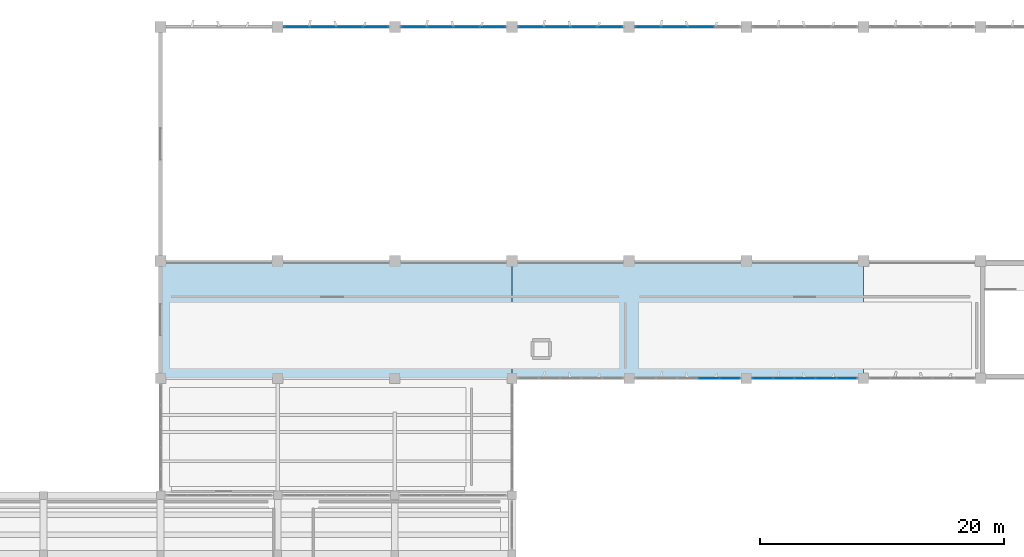
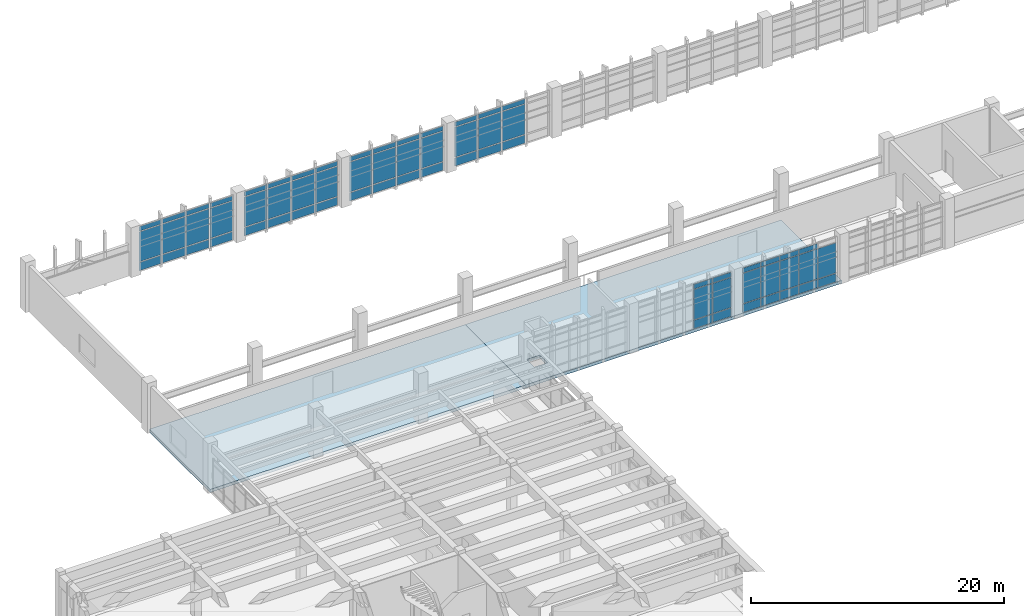
# One storey, part 51 of 86: 65 plates, 2 slabs, 6 elements without a shape of their own.
"""IFC4 building model written with IfcOpenShell, lengths in metres."""

from ifc_helpers import new_model, si_unit, direction, frame, origin, origin_2d, place, context, subcontext, project, spatial, polyline, rectangle, outline, extrude, material, layer, layer_set, type_object, element, aggregate, save


model = new_model("IFC4")

# Units and contexts
model_context = context("Model", 3, precision=1e-05, world=origin(), true_north=direction((0.0, 1.0)))
body_context = subcontext(model_context, "Body", "Model", "MODEL_VIEW")
ifc_project = project(units=[si_unit("LENGTHUNIT", "METRE"), si_unit("AREAUNIT", "SQUARE_METRE"), si_unit("VOLUMEUNIT", "CUBIC_METRE"), si_unit("PLANEANGLEUNIT", "RADIAN"), si_unit("MASSUNIT", "GRAM", prefix="KILO")], contexts=[model_context])

# Site, building, storey
site_placement = place(None, origin())
site = spatial("IfcSite", under=ifc_project, at=site_placement, CompositionType="ELEMENT")
building_placement = place(site_placement, origin())
building = spatial("IfcBuilding", under=site, at=building_placement, Name="Kolvemor Railside Polytechnic", CompositionType="ELEMENT")
storey_placement = place(building_placement, frame((0.0, 0.0, 5.39990234375)))
storey = spatial("IfcBuildingStorey", under=building, at=storey_placement, Name="L01", CompositionType="ELEMENT", Elevation=5.39990234375)

# Curtain wall, plates
ifc_material_1 = material(Name="Anodised marine aluminium and laminated low-E glass", Category="aluminium")
ifc_layer_1 = layer(ifc_material_1, 0.179931640625, Name="CW-UNIT-WKS")
ifc_layer_set_1 = layer_set([ifc_layer_1], Name="Anodised marine aluminium and laminated low-E glass")
curtain_wall_type = type_object("IfcCurtainWallType", Name="CW-UNIT-WKS", PredefinedType="USERDEFINED", material=ifc_layer_set_1)
curtain_wall_1_placement = place(storey_placement, origin())
curtain_wall_1 = element("IfcCurtainWall", 1, at=curtain_wall_1_placement, inside=storey, type_object=curtain_wall_type, Name="Curtain Wall L01-003", ObjectType="UNITISED CURTAIN WALL", PredefinedType="USERDEFINED")
ifc_material_2 = material(Name="Hurricane-laminated solar-control low-E glass", Category="glass")
ifc_layer_2 = layer(ifc_material_2, 0.028076171875, Name="CWP-GLZ-04")
ifc_layer_set_2 = layer_set([ifc_layer_2], Name="Hurricane-laminated solar-control low-E glass")
plate_type_1 = type_object("IfcPlateType", Name="CWP-GLZ-04", PredefinedType="CURTAIN_PANEL", material=ifc_layer_set_2)
plate_1_placement = place(storey_placement, frame((46.4287109375, 120.0, 0.074951171875), z_axis=(0.0, 0.0, 1.0), x_axis=(-1.0, 0.0, 0.0)))
plate_1 = element("IfcPlate", 2, at=plate_1_placement, type_object=plate_type_1, Name="CW-WKS panel 1.1", PredefinedType="CURTAIN_PANEL", context=body_context, shape_type="SweptSolid", body=[
    extrude(rectangle(XDim=2.052490234375, YDim=0.028076171875, at=origin_2d()), origin(), (0.0, 0.0, 1.0), 0.78759765625),
])
plate_2_placement = place(storey_placement, frame((46.4287109375, 120.0, 0.9375), z_axis=(0.0, 0.0, 1.0), x_axis=(-1.0, 0.0, 0.0)))
plate_2 = element("IfcPlate", 3, at=plate_2_placement, type_object=plate_type_1, Name="CW-WKS panel 1.2", PredefinedType="CURTAIN_PANEL", context=body_context, shape_type="SweptSolid", body=[
    extrude(rectangle(XDim=2.052490234375, YDim=0.028076171875, at=origin_2d()), origin(), (0.0, 0.0, 1.0), 2.875),
])
plate_3_placement = place(storey_placement, frame((46.4287109375, 120.0, 3.8876953125), z_axis=(0.0, 0.0, 1.0), x_axis=(-1.0, 0.0, 0.0)))
plate_3 = element("IfcPlate", 4, at=plate_3_placement, type_object=plate_type_1, Name="CW-WKS panel 1.3", PredefinedType="CURTAIN_PANEL", context=body_context, shape_type="SweptSolid", body=[
    extrude(rectangle(XDim=2.052490234375, YDim=0.028076171875, at=origin_2d()), origin(), (0.0, 0.0, 1.0), 0.4375),
])
plate_4_placement = place(storey_placement, frame((44.282470703125, 120.0, 0.074951171875), z_axis=(0.0, 0.0, 1.0), x_axis=(-1.0, 0.0, 0.0)))
plate_4 = element("IfcPlate", 5, at=plate_4_placement, type_object=plate_type_1, Name="CW-WKS panel 2.1", PredefinedType="CURTAIN_PANEL", context=body_context, shape_type="SweptSolid", body=[
    extrude(rectangle(XDim=2.090087890625, YDim=0.028076171875, at=origin_2d()), origin(), (0.0, 0.0, 1.0), 0.78759765625),
])
plate_5_placement = place(storey_placement, frame((44.282470703125, 120.0, 0.9375), z_axis=(0.0, 0.0, 1.0), x_axis=(-1.0, 0.0, 0.0)))
plate_5 = element("IfcPlate", 6, at=plate_5_placement, type_object=plate_type_1, Name="CW-WKS panel 2.2", PredefinedType="CURTAIN_PANEL", context=body_context, shape_type="SweptSolid", body=[
    extrude(rectangle(XDim=2.090087890625, YDim=0.028076171875, at=origin_2d()), origin(), (0.0, 0.0, 1.0), 2.875),
])
plate_6_placement = place(storey_placement, frame((44.282470703125, 120.0, 3.8876953125), z_axis=(0.0, 0.0, 1.0), x_axis=(-1.0, 0.0, 0.0)))
plate_6 = element("IfcPlate", 7, at=plate_6_placement, type_object=plate_type_1, Name="CW-WKS panel 2.3", PredefinedType="CURTAIN_PANEL", context=body_context, shape_type="SweptSolid", body=[
    extrude(rectangle(XDim=2.090087890625, YDim=0.028076171875, at=origin_2d()), origin(), (0.0, 0.0, 1.0), 0.4375),
])
plate_7_placement = place(storey_placement, frame((42.117431640625, 120.0, 0.074951171875), z_axis=(0.0, 0.0, 1.0), x_axis=(-1.0, 0.0, 0.0)))
plate_7 = element("IfcPlate", 8, at=plate_7_placement, type_object=plate_type_1, Name="CW-WKS panel 3.1", PredefinedType="CURTAIN_PANEL", context=body_context, shape_type="SweptSolid", body=[
    extrude(rectangle(XDim=2.090087890625, YDim=0.028076171875, at=origin_2d()), origin(), (0.0, 0.0, 1.0), 0.78759765625),
])
plate_8_placement = place(storey_placement, frame((42.117431640625, 120.0, 0.9375), z_axis=(0.0, 0.0, 1.0), x_axis=(-1.0, 0.0, 0.0)))
plate_8 = element("IfcPlate", 9, at=plate_8_placement, type_object=plate_type_1, Name="CW-WKS panel 3.2", PredefinedType="CURTAIN_PANEL", context=body_context, shape_type="SweptSolid", body=[
    extrude(rectangle(XDim=2.090087890625, YDim=0.028076171875, at=origin_2d()), origin(), (0.0, 0.0, 1.0), 2.875),
])
plate_9_placement = place(storey_placement, frame((42.117431640625, 120.0, 3.8876953125), z_axis=(0.0, 0.0, 1.0), x_axis=(-1.0, 0.0, 0.0)))
plate_9 = element("IfcPlate", 10, at=plate_9_placement, type_object=plate_type_1, Name="CW-WKS panel 3.3", PredefinedType="CURTAIN_PANEL", context=body_context, shape_type="SweptSolid", body=[
    extrude(rectangle(XDim=2.090087890625, YDim=0.028076171875, at=origin_2d()), origin(), (0.0, 0.0, 1.0), 0.4375),
])
plate_10_placement = place(storey_placement, frame((39.97119140625, 120.0, 0.074951171875), z_axis=(0.0, 0.0, 1.0), x_axis=(-1.0, 0.0, 0.0)))
plate_10 = element("IfcPlate", 11, at=plate_10_placement, type_object=plate_type_1, Name="CW-WKS panel 4.1", PredefinedType="CURTAIN_PANEL", context=body_context, shape_type="SweptSolid", body=[
    extrude(rectangle(XDim=2.052490234375, YDim=0.028076171875, at=origin_2d()), origin(), (0.0, 0.0, 1.0), 0.78759765625),
])
plate_11_placement = place(storey_placement, frame((39.97119140625, 120.0, 0.9375), z_axis=(0.0, 0.0, 1.0), x_axis=(-1.0, 0.0, 0.0)))
plate_11 = element("IfcPlate", 12, at=plate_11_placement, type_object=plate_type_1, Name="CW-WKS panel 4.2", PredefinedType="CURTAIN_PANEL", context=body_context, shape_type="SweptSolid", body=[
    extrude(rectangle(XDim=2.052490234375, YDim=0.028076171875, at=origin_2d()), origin(), (0.0, 0.0, 1.0), 2.875),
])
plate_12_placement = place(storey_placement, frame((39.97119140625, 120.0, 3.8876953125), z_axis=(0.0, 0.0, 1.0), x_axis=(-1.0, 0.0, 0.0)))
plate_12 = element("IfcPlate", 13, at=plate_12_placement, type_object=plate_type_1, Name="CW-WKS panel 4.3", PredefinedType="CURTAIN_PANEL", context=body_context, shape_type="SweptSolid", body=[
    extrude(rectangle(XDim=2.052490234375, YDim=0.028076171875, at=origin_2d()), origin(), (0.0, 0.0, 1.0), 0.4375),
])
aggregate(curtain_wall_1, [plate_1, plate_2, plate_3, plate_4, plate_5, plate_6, plate_7, plate_8, plate_9, plate_10, plate_11, plate_12])

curtain_wall_2_placement = place(storey_placement, origin())
curtain_wall_2 = element("IfcCurtainWall", 14, at=curtain_wall_2_placement, inside=storey, type_object=curtain_wall_type, Name="Curtain Wall L01-002", ObjectType="UNITISED CURTAIN WALL", PredefinedType="USERDEFINED")
ifc_material_3 = material(Name="Hurricane-laminated solar-control low-E glass", Category="glass")
ifc_layer_3 = layer(ifc_material_3, 0.031982421875, Name="CWP-GLZ-06")
ifc_layer_set_3 = layer_set([ifc_layer_3], Name="Hurricane-laminated solar-control low-E glass")
plate_type_2 = type_object("IfcPlateType", Name="CWP-GLZ-06", PredefinedType="CURTAIN_PANEL", material=ifc_layer_set_3)
plate_13_placement = place(storey_placement, frame((36.828857421875, 120.0, 0.074951171875), z_axis=(0.0, 0.0, 1.0), x_axis=(-1.0, 0.0, 0.0)))
plate_13 = element("IfcPlate", 15, at=plate_13_placement, type_object=plate_type_2, Name="CW-WKS panel 1.1", PredefinedType="CURTAIN_PANEL", context=body_context, shape_type="SweptSolid", body=[
    extrude(rectangle(XDim=2.052490234375, YDim=0.031982421875, at=origin_2d()), origin(), (0.0, 0.0, 1.0), 0.78759765625),
])
plate_14_placement = place(storey_placement, frame((36.828857421875, 120.0, 0.9375), z_axis=(0.0, 0.0, 1.0), x_axis=(-1.0, 0.0, 0.0)))
plate_14 = element("IfcPlate", 16, at=plate_14_placement, type_object=plate_type_2, Name="CW-WKS panel 1.2", PredefinedType="CURTAIN_PANEL", context=body_context, shape_type="SweptSolid", body=[
    extrude(rectangle(XDim=2.052490234375, YDim=0.031982421875, at=origin_2d()), origin(), (0.0, 0.0, 1.0), 2.875),
])
plate_15_placement = place(storey_placement, frame((36.828857421875, 120.0, 3.8876953125), z_axis=(0.0, 0.0, 1.0), x_axis=(-1.0, 0.0, 0.0)))
plate_15 = element("IfcPlate", 17, at=plate_15_placement, type_object=plate_type_2, Name="CW-WKS panel 1.3", PredefinedType="CURTAIN_PANEL", context=body_context, shape_type="SweptSolid", body=[
    extrude(rectangle(XDim=2.052490234375, YDim=0.031982421875, at=origin_2d()), origin(), (0.0, 0.0, 1.0), 0.4375),
])
plate_16_placement = place(storey_placement, frame((34.6826171875, 120.0, 0.074951171875), z_axis=(0.0, 0.0, 1.0), x_axis=(-1.0, 0.0, 0.0)))
plate_16 = element("IfcPlate", 18, at=plate_16_placement, type_object=plate_type_2, Name="CW-WKS panel 2.1", PredefinedType="CURTAIN_PANEL", context=body_context, shape_type="SweptSolid", body=[
    extrude(rectangle(XDim=2.090087890625, YDim=0.031982421875, at=origin_2d()), origin(), (0.0, 0.0, 1.0), 0.78759765625),
])
plate_17_placement = place(storey_placement, frame((34.6826171875, 120.0, 0.9375), z_axis=(0.0, 0.0, 1.0), x_axis=(-1.0, 0.0, 0.0)))
plate_17 = element("IfcPlate", 19, at=plate_17_placement, type_object=plate_type_2, Name="CW-WKS panel 2.2", PredefinedType="CURTAIN_PANEL", context=body_context, shape_type="SweptSolid", body=[
    extrude(rectangle(XDim=2.090087890625, YDim=0.031982421875, at=origin_2d()), origin(), (0.0, 0.0, 1.0), 2.875),
])
plate_18_placement = place(storey_placement, frame((34.6826171875, 120.0, 3.8876953125), z_axis=(0.0, 0.0, 1.0), x_axis=(-1.0, 0.0, 0.0)))
plate_18 = element("IfcPlate", 20, at=plate_18_placement, type_object=plate_type_2, Name="CW-WKS panel 2.3", PredefinedType="CURTAIN_PANEL", context=body_context, shape_type="SweptSolid", body=[
    extrude(rectangle(XDim=2.090087890625, YDim=0.031982421875, at=origin_2d()), origin(), (0.0, 0.0, 1.0), 0.4375),
])
plate_19_placement = place(storey_placement, frame((32.517578125, 120.0, 0.074951171875), z_axis=(0.0, 0.0, 1.0), x_axis=(-1.0, 0.0, 0.0)))
plate_19 = element("IfcPlate", 21, at=plate_19_placement, type_object=plate_type_2, Name="CW-WKS panel 3.1", PredefinedType="CURTAIN_PANEL", context=body_context, shape_type="SweptSolid", body=[
    extrude(rectangle(XDim=2.090087890625, YDim=0.031982421875, at=origin_2d()), origin(), (0.0, 0.0, 1.0), 0.78759765625),
])
plate_20_placement = place(storey_placement, frame((32.517578125, 120.0, 0.9375), z_axis=(0.0, 0.0, 1.0), x_axis=(-1.0, 0.0, 0.0)))
plate_20 = element("IfcPlate", 22, at=plate_20_placement, type_object=plate_type_2, Name="CW-WKS panel 3.2", PredefinedType="CURTAIN_PANEL", context=body_context, shape_type="SweptSolid", body=[
    extrude(rectangle(XDim=2.090087890625, YDim=0.031982421875, at=origin_2d()), origin(), (0.0, 0.0, 1.0), 2.875),
])
plate_21_placement = place(storey_placement, frame((32.517578125, 120.0, 3.8876953125), z_axis=(0.0, 0.0, 1.0), x_axis=(-1.0, 0.0, 0.0)))
plate_21 = element("IfcPlate", 23, at=plate_21_placement, type_object=plate_type_2, Name="CW-WKS panel 3.3", PredefinedType="CURTAIN_PANEL", context=body_context, shape_type="SweptSolid", body=[
    extrude(rectangle(XDim=2.090087890625, YDim=0.031982421875, at=origin_2d()), origin(), (0.0, 0.0, 1.0), 0.4375),
])
plate_22_placement = place(storey_placement, frame((30.371337890625, 120.0, 0.074951171875), z_axis=(0.0, 0.0, 1.0), x_axis=(-1.0, 0.0, 0.0)))
plate_22 = element("IfcPlate", 24, at=plate_22_placement, type_object=plate_type_2, Name="CW-WKS panel 4.1", PredefinedType="CURTAIN_PANEL", context=body_context, shape_type="SweptSolid", body=[
    extrude(rectangle(XDim=2.052490234375, YDim=0.031982421875, at=origin_2d()), origin(), (0.0, 0.0, 1.0), 0.78759765625),
])
plate_23_placement = place(storey_placement, frame((30.371337890625, 120.0, 0.9375), z_axis=(0.0, 0.0, 1.0), x_axis=(-1.0, 0.0, 0.0)))
plate_23 = element("IfcPlate", 25, at=plate_23_placement, type_object=plate_type_2, Name="CW-WKS panel 4.2", PredefinedType="CURTAIN_PANEL", context=body_context, shape_type="SweptSolid", body=[
    extrude(rectangle(XDim=2.052490234375, YDim=0.031982421875, at=origin_2d()), origin(), (0.0, 0.0, 1.0), 2.875),
])
plate_24_placement = place(storey_placement, frame((30.371337890625, 120.0, 3.8876953125), z_axis=(0.0, 0.0, 1.0), x_axis=(-1.0, 0.0, 0.0)))
plate_24 = element("IfcPlate", 26, at=plate_24_placement, type_object=plate_type_2, Name="CW-WKS panel 4.3", PredefinedType="CURTAIN_PANEL", context=body_context, shape_type="SweptSolid", body=[
    extrude(rectangle(XDim=2.052490234375, YDim=0.031982421875, at=origin_2d()), origin(), (0.0, 0.0, 1.0), 0.4375),
])
aggregate(curtain_wall_2, [plate_13, plate_14, plate_15, plate_16, plate_17, plate_18, plate_19, plate_20, plate_21, plate_22, plate_23, plate_24])

curtain_wall_3_placement = place(storey_placement, origin())
curtain_wall_3 = element("IfcCurtainWall", 27, at=curtain_wall_3_placement, inside=storey, type_object=curtain_wall_type, Name="Curtain Wall L01-009", ObjectType="UNITISED CURTAIN WALL", PredefinedType="USERDEFINED")
plate_25_placement = place(storey_placement, frame((64.132080078125, 91.199951171875, 0.06494140625), z_axis=(0.0, 0.0, 1.0), x_axis=(1.0, 0.0, 0.0)))
plate_25 = element("IfcPlate", 28, at=plate_25_placement, type_object=plate_type_2, Name="CW-WKS panel 4.1", PredefinedType="CURTAIN_PANEL", context=body_context, shape_type="SweptSolid", body=[
    extrude(rectangle(XDim=1.6669921875, YDim=0.031982421875, at=origin_2d()), origin(), (0.0, 0.0, 1.0), 0.802490234375),
])
plate_26_placement = place(storey_placement, frame((64.132080078125, 91.199951171875, 0.9326171875), z_axis=(0.0, 0.0, 1.0), x_axis=(1.0, 0.0, 0.0)))
plate_26 = element("IfcPlate", 29, at=plate_26_placement, type_object=plate_type_2, Name="CW-WKS panel 4.2", PredefinedType="CURTAIN_PANEL", context=body_context, shape_type="SweptSolid", body=[
    extrude(rectangle(XDim=1.6669921875, YDim=0.031982421875, at=origin_2d()), origin(), (0.0, 0.0, 1.0), 2.885009765625),
])
plate_27_placement = place(storey_placement, frame((64.132080078125, 91.199951171875, 3.8828125), z_axis=(0.0, 0.0, 1.0), x_axis=(1.0, 0.0, 0.0)))
plate_27 = element("IfcPlate", 30, at=plate_27_placement, type_object=plate_type_2, Name="CW-WKS panel 4.3", PredefinedType="CURTAIN_PANEL", context=body_context, shape_type="SweptSolid", body=[
    extrude(rectangle(XDim=1.6669921875, YDim=0.031982421875, at=origin_2d()), origin(), (0.0, 0.0, 1.0), 0.452392578125),
])
plate_28_placement = place(storey_placement, frame((65.84765625, 91.199951171875, 0.06494140625), z_axis=(0.0, 0.0, 1.0), x_axis=(1.0, 0.0, 0.0)))
plate_28 = element("IfcPlate", 31, at=plate_28_placement, type_object=plate_type_2, Name="CW-WKS panel 5.1", PredefinedType="CURTAIN_PANEL", context=body_context, shape_type="SweptSolid", body=[
    extrude(rectangle(XDim=1.634521484375, YDim=0.031982421875, at=origin_2d()), origin(), (0.0, 0.0, 1.0), 0.802490234375),
])
plate_29_placement = place(storey_placement, frame((65.84765625, 91.199951171875, 0.9326171875), z_axis=(0.0, 0.0, 1.0), x_axis=(1.0, 0.0, 0.0)))
plate_29 = element("IfcPlate", 32, at=plate_29_placement, type_object=plate_type_2, Name="CW-WKS panel 5.2", PredefinedType="CURTAIN_PANEL", context=body_context, shape_type="SweptSolid", body=[
    extrude(rectangle(XDim=1.634521484375, YDim=0.031982421875, at=origin_2d()), origin(), (0.0, 0.0, 1.0), 2.885009765625),
])
plate_30_placement = place(storey_placement, frame((65.84765625, 91.199951171875, 3.8828125), z_axis=(0.0, 0.0, 1.0), x_axis=(1.0, 0.0, 0.0)))
plate_30 = element("IfcPlate", 33, at=plate_30_placement, type_object=plate_type_2, Name="CW-WKS panel 5.3", PredefinedType="CURTAIN_PANEL", context=body_context, shape_type="SweptSolid", body=[
    extrude(rectangle(XDim=1.634521484375, YDim=0.031982421875, at=origin_2d()), origin(), (0.0, 0.0, 1.0), 0.452392578125),
])
aggregate(curtain_wall_3, [plate_25, plate_26, plate_27, plate_28, plate_29, plate_30])

curtain_wall_4_placement = place(storey_placement, origin())
curtain_wall_4 = element("IfcCurtainWall", 34, at=curtain_wall_4_placement, inside=storey, type_object=curtain_wall_type, Name="Curtain Wall L01-011", ObjectType="UNITISED CURTAIN WALL", PredefinedType="USERDEFINED")
ifc_material_4 = material(Name="Hurricane-laminated solar-control low-E glass", Category="glass")
ifc_layer_4 = layer(ifc_material_4, 0.033935546875, Name="CWP-GLZ-07")
ifc_layer_set_4 = layer_set([ifc_layer_4], Name="Hurricane-laminated solar-control low-E glass")
plate_type_3 = type_object("IfcPlateType", Name="CWP-GLZ-07", PredefinedType="CURTAIN_PANEL", material=ifc_layer_set_4)
plate_31_placement = place(storey_placement, frame((68.55224609375, 91.199951171875, 0.06494140625), z_axis=(0.0, 0.0, 1.0), x_axis=(1.0, 0.0, 0.0)))
plate_31 = element("IfcPlate", 35, at=plate_31_placement, type_object=plate_type_3, Name="CW-WKS panel 1.1", PredefinedType="CURTAIN_PANEL", context=body_context, shape_type="SweptSolid", body=[
    extrude(rectangle(XDim=1.634521484375, YDim=0.033935546875, at=origin_2d()), origin(), (0.0, 0.0, 1.0), 0.802490234375),
])
plate_32_placement = place(storey_placement, frame((68.55224609375, 91.199951171875, 0.9326171875), z_axis=(0.0, 0.0, 1.0), x_axis=(1.0, 0.0, 0.0)))
plate_32 = element("IfcPlate", 36, at=plate_32_placement, type_object=plate_type_3, Name="CW-WKS panel 1.2", PredefinedType="CURTAIN_PANEL", context=body_context, shape_type="SweptSolid", body=[
    extrude(rectangle(XDim=1.634521484375, YDim=0.033935546875, at=origin_2d()), origin(), (0.0, 0.0, 1.0), 2.885009765625),
])
plate_33_placement = place(storey_placement, frame((68.55224609375, 91.199951171875, 3.8828125), z_axis=(0.0, 0.0, 1.0), x_axis=(1.0, 0.0, 0.0)))
plate_33 = element("IfcPlate", 37, at=plate_33_placement, type_object=plate_type_3, Name="CW-WKS panel 1.3", PredefinedType="CURTAIN_PANEL", context=body_context, shape_type="SweptSolid", body=[
    extrude(rectangle(XDim=1.634521484375, YDim=0.033935546875, at=origin_2d()), origin(), (0.0, 0.0, 1.0), 0.452392578125),
])
plate_34_placement = place(storey_placement, frame((70.26806640625, 91.199951171875, 0.06494140625), z_axis=(0.0, 0.0, 1.0), x_axis=(1.0, 0.0, 0.0)))
plate_34 = element("IfcPlate", 38, at=plate_34_placement, type_object=plate_type_3, Name="CW-WKS panel 2.1", PredefinedType="CURTAIN_PANEL", context=body_context, shape_type="SweptSolid", body=[
    extrude(rectangle(XDim=1.6669921875, YDim=0.033935546875, at=origin_2d()), origin(), (0.0, 0.0, 1.0), 0.802490234375),
])
plate_35_placement = place(storey_placement, frame((70.26806640625, 91.199951171875, 0.9326171875), z_axis=(0.0, 0.0, 1.0), x_axis=(1.0, 0.0, 0.0)))
plate_35 = element("IfcPlate", 39, at=plate_35_placement, type_object=plate_type_3, Name="CW-WKS panel 2.2", PredefinedType="CURTAIN_PANEL", context=body_context, shape_type="SweptSolid", body=[
    extrude(rectangle(XDim=1.6669921875, YDim=0.033935546875, at=origin_2d()), origin(), (0.0, 0.0, 1.0), 2.885009765625),
])
plate_36_placement = place(storey_placement, frame((70.26806640625, 91.199951171875, 3.8828125), z_axis=(0.0, 0.0, 1.0), x_axis=(1.0, 0.0, 0.0)))
plate_36 = element("IfcPlate", 40, at=plate_36_placement, type_object=plate_type_3, Name="CW-WKS panel 2.3", PredefinedType="CURTAIN_PANEL", context=body_context, shape_type="SweptSolid", body=[
    extrude(rectangle(XDim=1.6669921875, YDim=0.033935546875, at=origin_2d()), origin(), (0.0, 0.0, 1.0), 0.452392578125),
])
plate_37_placement = place(storey_placement, frame((72.0, 91.199951171875, 0.06494140625), z_axis=(0.0, 0.0, 1.0), x_axis=(1.0, 0.0, 0.0)))
plate_37 = element("IfcPlate", 41, at=plate_37_placement, type_object=plate_type_3, Name="CW-WKS panel 3.1", PredefinedType="CURTAIN_PANEL", context=body_context, shape_type="SweptSolid", body=[
    extrude(rectangle(XDim=1.6669921875, YDim=0.033935546875, at=origin_2d()), origin(), (0.0, 0.0, 1.0), 0.802490234375),
])
plate_38_placement = place(storey_placement, frame((72.0, 91.199951171875, 0.9326171875), z_axis=(0.0, 0.0, 1.0), x_axis=(1.0, 0.0, 0.0)))
plate_38 = element("IfcPlate", 42, at=plate_38_placement, type_object=plate_type_3, Name="CW-WKS panel 3.2", PredefinedType="CURTAIN_PANEL", context=body_context, shape_type="SweptSolid", body=[
    extrude(rectangle(XDim=1.6669921875, YDim=0.033935546875, at=origin_2d()), origin(), (0.0, 0.0, 1.0), 2.885009765625),
])
plate_39_placement = place(storey_placement, frame((72.0, 91.199951171875, 3.8828125), z_axis=(0.0, 0.0, 1.0), x_axis=(1.0, 0.0, 0.0)))
plate_39 = element("IfcPlate", 43, at=plate_39_placement, type_object=plate_type_3, Name="CW-WKS panel 3.3", PredefinedType="CURTAIN_PANEL", context=body_context, shape_type="SweptSolid", body=[
    extrude(rectangle(XDim=1.6669921875, YDim=0.033935546875, at=origin_2d()), origin(), (0.0, 0.0, 1.0), 0.452392578125),
])
plate_40_placement = place(storey_placement, frame((73.73193359375, 91.199951171875, 0.06494140625), z_axis=(0.0, 0.0, 1.0), x_axis=(1.0, 0.0, 0.0)))
plate_40 = element("IfcPlate", 44, at=plate_40_placement, type_object=plate_type_3, Name="CW-WKS panel 4.1", PredefinedType="CURTAIN_PANEL", context=body_context, shape_type="SweptSolid", body=[
    extrude(rectangle(XDim=1.6669921875, YDim=0.033935546875, at=origin_2d()), origin(), (0.0, 0.0, 1.0), 0.802490234375),
])
plate_41_placement = place(storey_placement, frame((73.73193359375, 91.199951171875, 0.9326171875), z_axis=(0.0, 0.0, 1.0), x_axis=(1.0, 0.0, 0.0)))
plate_41 = element("IfcPlate", 45, at=plate_41_placement, type_object=plate_type_3, Name="CW-WKS panel 4.2", PredefinedType="CURTAIN_PANEL", context=body_context, shape_type="SweptSolid", body=[
    extrude(rectangle(XDim=1.6669921875, YDim=0.033935546875, at=origin_2d()), origin(), (0.0, 0.0, 1.0), 2.885009765625),
])
plate_42_placement = place(storey_placement, frame((73.73193359375, 91.199951171875, 3.8828125), z_axis=(0.0, 0.0, 1.0), x_axis=(1.0, 0.0, 0.0)))
plate_42 = element("IfcPlate", 46, at=plate_42_placement, type_object=plate_type_3, Name="CW-WKS panel 4.3", PredefinedType="CURTAIN_PANEL", context=body_context, shape_type="SweptSolid", body=[
    extrude(rectangle(XDim=1.6669921875, YDim=0.033935546875, at=origin_2d()), origin(), (0.0, 0.0, 1.0), 0.452392578125),
])
plate_43_placement = place(storey_placement, frame((75.44775390625, 91.199951171875, 0.06494140625), z_axis=(0.0, 0.0, 1.0), x_axis=(1.0, 0.0, 0.0)))
plate_43 = element("IfcPlate", 47, at=plate_43_placement, type_object=plate_type_3, Name="CW-WKS panel 5.1", PredefinedType="CURTAIN_PANEL", context=body_context, shape_type="SweptSolid", body=[
    extrude(rectangle(XDim=1.634521484375, YDim=0.033935546875, at=origin_2d()), origin(), (0.0, 0.0, 1.0), 0.802490234375),
])
plate_44_placement = place(storey_placement, frame((75.44775390625, 91.199951171875, 0.9326171875), z_axis=(0.0, 0.0, 1.0), x_axis=(1.0, 0.0, 0.0)))
plate_44 = element("IfcPlate", 48, at=plate_44_placement, type_object=plate_type_3, Name="CW-WKS panel 5.2", PredefinedType="CURTAIN_PANEL", context=body_context, shape_type="SweptSolid", body=[
    extrude(rectangle(XDim=1.634521484375, YDim=0.033935546875, at=origin_2d()), origin(), (0.0, 0.0, 1.0), 2.885009765625),
])
aggregate(curtain_wall_4, [plate_31, plate_32, plate_33, plate_34, plate_35, plate_36, plate_37, plate_38, plate_39, plate_40, plate_41, plate_42, plate_43, plate_44])

curtain_wall_5_placement = place(storey_placement, origin())
curtain_wall_5 = element("IfcCurtainWall", 49, at=curtain_wall_5_placement, inside=storey, type_object=curtain_wall_type, Name="Curtain Wall L01-005", ObjectType="UNITISED CURTAIN WALL", PredefinedType="USERDEFINED")
ifc_material_5 = material(Name="Hurricane-laminated solar-control low-E glass", Category="glass")
ifc_layer_5 = layer(ifc_material_5, 0.035888671875, Name="CWP-GLZ-08")
ifc_layer_set_5 = layer_set([ifc_layer_5], Name="Hurricane-laminated solar-control low-E glass")
plate_type_4 = type_object("IfcPlateType", Name="CWP-GLZ-08", PredefinedType="CURTAIN_PANEL", material=ifc_layer_set_5)
plate_45_placement = place(storey_placement, frame((56.02880859375, 120.0, 0.074951171875), z_axis=(0.0, 0.0, 1.0), x_axis=(-1.0, 0.0, 0.0)))
plate_45 = element("IfcPlate", 50, at=plate_45_placement, type_object=plate_type_4, Name="CW-WKS panel 1.1", PredefinedType="CURTAIN_PANEL", context=body_context, shape_type="SweptSolid", body=[
    extrude(rectangle(XDim=2.052490234375, YDim=0.035888671875, at=origin_2d()), origin(), (0.0, 0.0, 1.0), 0.78759765625),
])
plate_46_placement = place(storey_placement, frame((56.02880859375, 120.0, 0.9375), z_axis=(0.0, 0.0, 1.0), x_axis=(-1.0, 0.0, 0.0)))
plate_46 = element("IfcPlate", 51, at=plate_46_placement, type_object=plate_type_4, Name="CW-WKS panel 1.2", PredefinedType="CURTAIN_PANEL", context=body_context, shape_type="SweptSolid", body=[
    extrude(rectangle(XDim=2.052490234375, YDim=0.035888671875, at=origin_2d()), origin(), (0.0, 0.0, 1.0), 2.875),
])
plate_47_placement = place(storey_placement, frame((56.02880859375, 120.0, 3.8876953125), z_axis=(0.0, 0.0, 1.0), x_axis=(-1.0, 0.0, 0.0)))
plate_47 = element("IfcPlate", 52, at=plate_47_placement, type_object=plate_type_4, Name="CW-WKS panel 1.3", PredefinedType="CURTAIN_PANEL", context=body_context, shape_type="SweptSolid", body=[
    extrude(rectangle(XDim=2.052490234375, YDim=0.035888671875, at=origin_2d()), origin(), (0.0, 0.0, 1.0), 0.4375),
])
plate_48_placement = place(storey_placement, frame((53.882568359375, 120.0, 0.074951171875), z_axis=(0.0, 0.0, 1.0), x_axis=(-1.0, 0.0, 0.0)))
plate_48 = element("IfcPlate", 53, at=plate_48_placement, type_object=plate_type_4, Name="CW-WKS panel 2.1", PredefinedType="CURTAIN_PANEL", context=body_context, shape_type="SweptSolid", body=[
    extrude(rectangle(XDim=2.090087890625, YDim=0.035888671875, at=origin_2d()), origin(), (0.0, 0.0, 1.0), 0.78759765625),
])
plate_49_placement = place(storey_placement, frame((53.882568359375, 120.0, 0.9375), z_axis=(0.0, 0.0, 1.0), x_axis=(-1.0, 0.0, 0.0)))
plate_49 = element("IfcPlate", 54, at=plate_49_placement, type_object=plate_type_4, Name="CW-WKS panel 2.2", PredefinedType="CURTAIN_PANEL", context=body_context, shape_type="SweptSolid", body=[
    extrude(rectangle(XDim=2.090087890625, YDim=0.035888671875, at=origin_2d()), origin(), (0.0, 0.0, 1.0), 2.875),
])
plate_50_placement = place(storey_placement, frame((53.882568359375, 120.0, 3.8876953125), z_axis=(0.0, 0.0, 1.0), x_axis=(-1.0, 0.0, 0.0)))
plate_50 = element("IfcPlate", 55, at=plate_50_placement, type_object=plate_type_4, Name="CW-WKS panel 2.3", PredefinedType="CURTAIN_PANEL", context=body_context, shape_type="SweptSolid", body=[
    extrude(rectangle(XDim=2.090087890625, YDim=0.035888671875, at=origin_2d()), origin(), (0.0, 0.0, 1.0), 0.4375),
])
plate_51_placement = place(storey_placement, frame((51.717529296875, 120.0, 0.074951171875), z_axis=(0.0, 0.0, 1.0), x_axis=(-1.0, 0.0, 0.0)))
plate_51 = element("IfcPlate", 56, at=plate_51_placement, type_object=plate_type_4, Name="CW-WKS panel 3.1", PredefinedType="CURTAIN_PANEL", context=body_context, shape_type="SweptSolid", body=[
    extrude(rectangle(XDim=2.090087890625, YDim=0.035888671875, at=origin_2d()), origin(), (0.0, 0.0, 1.0), 0.78759765625),
])
plate_52_placement = place(storey_placement, frame((51.717529296875, 120.0, 0.9375), z_axis=(0.0, 0.0, 1.0), x_axis=(-1.0, 0.0, 0.0)))
plate_52 = element("IfcPlate", 57, at=plate_52_placement, type_object=plate_type_4, Name="CW-WKS panel 3.2", PredefinedType="CURTAIN_PANEL", context=body_context, shape_type="SweptSolid", body=[
    extrude(rectangle(XDim=2.090087890625, YDim=0.035888671875, at=origin_2d()), origin(), (0.0, 0.0, 1.0), 2.875),
])
plate_53_placement = place(storey_placement, frame((51.717529296875, 120.0, 3.8876953125), z_axis=(0.0, 0.0, 1.0), x_axis=(-1.0, 0.0, 0.0)))
plate_53 = element("IfcPlate", 58, at=plate_53_placement, type_object=plate_type_4, Name="CW-WKS panel 3.3", PredefinedType="CURTAIN_PANEL", context=body_context, shape_type="SweptSolid", body=[
    extrude(rectangle(XDim=2.090087890625, YDim=0.035888671875, at=origin_2d()), origin(), (0.0, 0.0, 1.0), 0.4375),
])
plate_54_placement = place(storey_placement, frame((49.5712890625, 120.0, 0.074951171875), z_axis=(0.0, 0.0, 1.0), x_axis=(-1.0, 0.0, 0.0)))
plate_54 = element("IfcPlate", 59, at=plate_54_placement, type_object=plate_type_4, Name="CW-WKS panel 4.1", PredefinedType="CURTAIN_PANEL", context=body_context, shape_type="SweptSolid", body=[
    extrude(rectangle(XDim=2.052490234375, YDim=0.035888671875, at=origin_2d()), origin(), (0.0, 0.0, 1.0), 0.78759765625),
])
plate_55_placement = place(storey_placement, frame((49.5712890625, 120.0, 0.9375), z_axis=(0.0, 0.0, 1.0), x_axis=(-1.0, 0.0, 0.0)))
plate_55 = element("IfcPlate", 60, at=plate_55_placement, type_object=plate_type_4, Name="CW-WKS panel 4.2", PredefinedType="CURTAIN_PANEL", context=body_context, shape_type="SweptSolid", body=[
    extrude(rectangle(XDim=2.052490234375, YDim=0.035888671875, at=origin_2d()), origin(), (0.0, 0.0, 1.0), 2.875),
])
plate_56_placement = place(storey_placement, frame((49.5712890625, 120.0, 3.8876953125), z_axis=(0.0, 0.0, 1.0), x_axis=(-1.0, 0.0, 0.0)))
plate_56 = element("IfcPlate", 61, at=plate_56_placement, type_object=plate_type_4, Name="CW-WKS panel 4.3", PredefinedType="CURTAIN_PANEL", context=body_context, shape_type="SweptSolid", body=[
    extrude(rectangle(XDim=2.052490234375, YDim=0.035888671875, at=origin_2d()), origin(), (0.0, 0.0, 1.0), 0.4375),
])
aggregate(curtain_wall_5, [plate_45, plate_46, plate_47, plate_48, plate_49, plate_50, plate_51, plate_52, plate_53, plate_54, plate_55, plate_56])

curtain_wall_6_placement = place(storey_placement, origin())
curtain_wall_6 = element("IfcCurtainWall", 62, at=curtain_wall_6_placement, inside=storey, type_object=curtain_wall_type, Name="Curtain Wall L01-008", ObjectType="UNITISED CURTAIN WALL", PredefinedType="USERDEFINED")
ifc_material_6 = material(Name="Hurricane-laminated solar-control low-E glass", Category="glass")
ifc_layer_6 = layer(ifc_material_6, 0.0380859375, Name="CWP-GLZ-09")
ifc_layer_set_6 = layer_set([ifc_layer_6], Name="Hurricane-laminated solar-control low-E glass")
plate_type_5 = type_object("IfcPlateType", Name="CWP-GLZ-09", PredefinedType="CURTAIN_PANEL", material=ifc_layer_set_6)
plate_57_placement = place(storey_placement, frame((63.482421875, 120.0, 0.074951171875), z_axis=(0.0, 0.0, 1.0), x_axis=(-1.0, 0.0, 0.0)))
plate_57 = element("IfcPlate", 63, at=plate_57_placement, type_object=plate_type_5, Name="CW-WKS panel 2.1", PredefinedType="CURTAIN_PANEL", context=body_context, shape_type="SweptSolid", body=[
    extrude(rectangle(XDim=2.090087890625, YDim=0.0380859375, at=origin_2d()), origin(), (0.0, 0.0, 1.0), 0.78759765625),
])
plate_58_placement = place(storey_placement, frame((63.482421875, 120.0, 0.9375), z_axis=(0.0, 0.0, 1.0), x_axis=(-1.0, 0.0, 0.0)))
plate_58 = element("IfcPlate", 64, at=plate_58_placement, type_object=plate_type_5, Name="CW-WKS panel 2.2", PredefinedType="CURTAIN_PANEL", context=body_context, shape_type="SweptSolid", body=[
    extrude(rectangle(XDim=2.090087890625, YDim=0.0380859375, at=origin_2d()), origin(), (0.0, 0.0, 1.0), 2.875),
])
plate_59_placement = place(storey_placement, frame((63.482421875, 120.0, 3.8876953125), z_axis=(0.0, 0.0, 1.0), x_axis=(-1.0, 0.0, 0.0)))
plate_59 = element("IfcPlate", 65, at=plate_59_placement, type_object=plate_type_5, Name="CW-WKS panel 2.3", PredefinedType="CURTAIN_PANEL", context=body_context, shape_type="SweptSolid", body=[
    extrude(rectangle(XDim=2.090087890625, YDim=0.0380859375, at=origin_2d()), origin(), (0.0, 0.0, 1.0), 0.4375),
])
plate_60_placement = place(storey_placement, frame((61.3173828125, 120.0, 0.074951171875), z_axis=(0.0, 0.0, 1.0), x_axis=(-1.0, 0.0, 0.0)))
plate_60 = element("IfcPlate", 66, at=plate_60_placement, type_object=plate_type_5, Name="CW-WKS panel 3.1", PredefinedType="CURTAIN_PANEL", context=body_context, shape_type="SweptSolid", body=[
    extrude(rectangle(XDim=2.090087890625, YDim=0.0380859375, at=origin_2d()), origin(), (0.0, 0.0, 1.0), 0.78759765625),
])
plate_61_placement = place(storey_placement, frame((61.3173828125, 120.0, 0.9375), z_axis=(0.0, 0.0, 1.0), x_axis=(-1.0, 0.0, 0.0)))
plate_61 = element("IfcPlate", 67, at=plate_61_placement, type_object=plate_type_5, Name="CW-WKS panel 3.2", PredefinedType="CURTAIN_PANEL", context=body_context, shape_type="SweptSolid", body=[
    extrude(rectangle(XDim=2.090087890625, YDim=0.0380859375, at=origin_2d()), origin(), (0.0, 0.0, 1.0), 2.875),
])
plate_62_placement = place(storey_placement, frame((61.3173828125, 120.0, 3.8876953125), z_axis=(0.0, 0.0, 1.0), x_axis=(-1.0, 0.0, 0.0)))
plate_62 = element("IfcPlate", 68, at=plate_62_placement, type_object=plate_type_5, Name="CW-WKS panel 3.3", PredefinedType="CURTAIN_PANEL", context=body_context, shape_type="SweptSolid", body=[
    extrude(rectangle(XDim=2.090087890625, YDim=0.0380859375, at=origin_2d()), origin(), (0.0, 0.0, 1.0), 0.4375),
])
plate_63_placement = place(storey_placement, frame((59.171142578125, 120.0, 0.074951171875), z_axis=(0.0, 0.0, 1.0), x_axis=(-1.0, 0.0, 0.0)))
plate_63 = element("IfcPlate", 69, at=plate_63_placement, type_object=plate_type_5, Name="CW-WKS panel 4.1", PredefinedType="CURTAIN_PANEL", context=body_context, shape_type="SweptSolid", body=[
    extrude(rectangle(XDim=2.052490234375, YDim=0.0380859375, at=origin_2d()), origin(), (0.0, 0.0, 1.0), 0.78759765625),
])
plate_64_placement = place(storey_placement, frame((59.171142578125, 120.0, 0.9375), z_axis=(0.0, 0.0, 1.0), x_axis=(-1.0, 0.0, 0.0)))
plate_64 = element("IfcPlate", 70, at=plate_64_placement, type_object=plate_type_5, Name="CW-WKS panel 4.2", PredefinedType="CURTAIN_PANEL", context=body_context, shape_type="SweptSolid", body=[
    extrude(rectangle(XDim=2.052490234375, YDim=0.0380859375, at=origin_2d()), origin(), (0.0, 0.0, 1.0), 2.875),
])
plate_65_placement = place(storey_placement, frame((59.171142578125, 120.0, 3.8876953125), z_axis=(0.0, 0.0, 1.0), x_axis=(-1.0, 0.0, 0.0)))
plate_65 = element("IfcPlate", 71, at=plate_65_placement, type_object=plate_type_5, Name="CW-WKS panel 4.3", PredefinedType="CURTAIN_PANEL", context=body_context, shape_type="SweptSolid", body=[
    extrude(rectangle(XDim=2.052490234375, YDim=0.0380859375, at=origin_2d()), origin(), (0.0, 0.0, 1.0), 0.4375),
])
aggregate(curtain_wall_6, [plate_57, plate_58, plate_59, plate_60, plate_61, plate_62, plate_63, plate_64, plate_65])

# Slabs
ifc_material_7 = material(Name="Concrete C40/50", Category="concrete")
ifc_layer_7 = layer(ifc_material_7, 0.2900390625, Name="SLB-POD-GAL")
ifc_layer_set_7 = layer_set([ifc_layer_7], Name="Concrete C40/50")
slab_type = type_object("IfcSlabType", Name="SLB-POD-GAL", PredefinedType="FLOOR", material=ifc_layer_set_7)
slab_1_placement = place(storey_placement, frame((0.0, 0.0, -0.289794921875)))
element("IfcSlab", 72, at=slab_1_placement, inside=storey, type_object=slab_type, Name="Workshop Crane Gallery Slab L01-38", PredefinedType="FLOOR", context=body_context, shape_type="SweptSolid", body=[
    extrude(outline(polyline([(19.199951171875, 91.199951171875), (48.0, 91.199951171875), (48.0, 100.800048828125), (19.199951171875, 100.800048828125), (19.199951171875, 91.199951171875)])), origin(), (0.0, 0.0, 1.0), 0.289794921875),
])
slab_2_placement = place(storey_placement, frame((0.0, 0.0, -0.289794921875)))
element("IfcSlab", 73, at=slab_2_placement, inside=storey, type_object=slab_type, Name="Workshop Crane Gallery Slab L01-39", PredefinedType="FLOOR", context=body_context, shape_type="SweptSolid", body=[
    extrude(outline(polyline([(48.0, 91.199951171875), (76.800048828125, 91.199951171875), (76.800048828125, 100.800048828125), (48.0, 100.800048828125), (48.0, 91.199951171875)]), holes=[polyline([(49.800048828125, 93.0), (51.0, 93.0), (51.0, 94.199951171875), (49.800048828125, 94.199951171875), (49.800048828125, 93.0)])]), origin(), (0.0, 0.0, 1.0), 0.289794921875),
])

save(model, "model.ifc")
